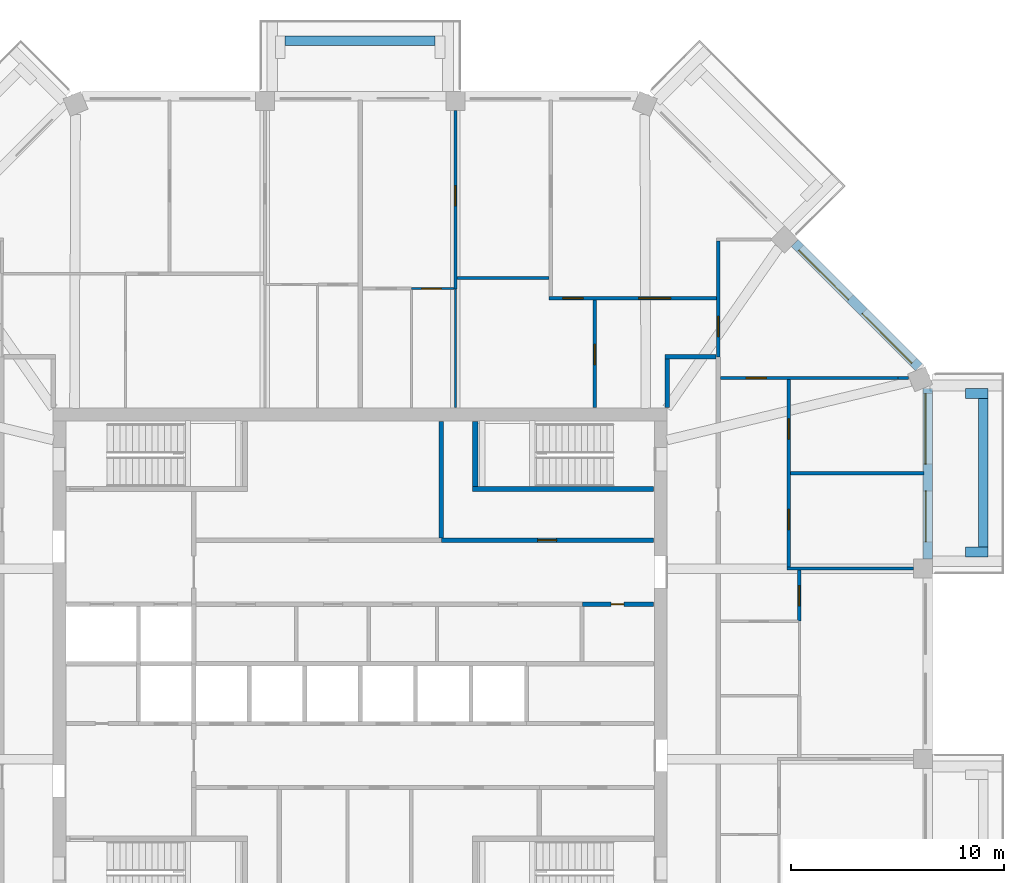
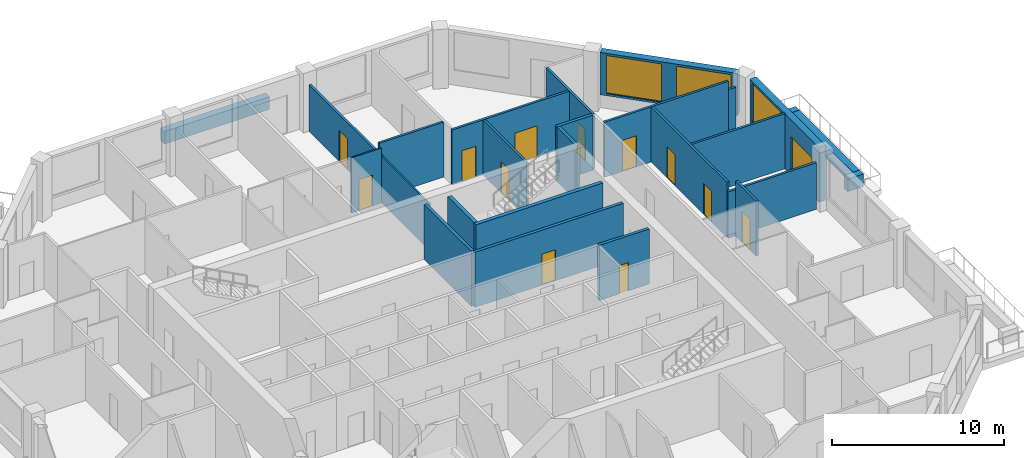
# One storey, part 9 of 12: 26 walls, 13 doors, 3 windows, 16 openings.
"""IFC4 building model written with IfcOpenShell, lengths in metres."""

from ifc_helpers import new_model, si_unit, direction, frame, frame_2d, origin, place, context, subcontext, project, spatial, rectangle, extrude, material, layer, layer_set, type_object, element, fill, save


model = new_model("IFC4")

# Units and contexts
model_context = context("Model", 3, precision=1e-05, world=origin(), true_north=direction((0.0, 1.0)))
body_context = subcontext(model_context, "Body", "Model", "MODEL_VIEW")
ifc_project = project(units=[si_unit("LENGTHUNIT", "METRE"), si_unit("AREAUNIT", "SQUARE_METRE"), si_unit("VOLUMEUNIT", "CUBIC_METRE"), si_unit("PLANEANGLEUNIT", "RADIAN"), si_unit("MASSUNIT", "GRAM", prefix="KILO")], contexts=[model_context])

# Site, building, storey
site_placement = place(None, origin())
site = spatial("IfcSite", under=ifc_project, at=site_placement, CompositionType="ELEMENT")
building_placement = place(site_placement, origin())
building = spatial("IfcBuilding", under=site, at=building_placement, Name="Msitu Wima Residences", CompositionType="ELEMENT")
storey_placement = place(building_placement, frame((0.0, 0.0, 306.300048828125)))
storey = spatial("IfcBuildingStorey", under=building, at=storey_placement, Name="L71", CompositionType="ELEMENT", Elevation=306.300048828125)

# Walls
ifc_material_1 = material(Name="Facing brick")
ifc_layer_1 = layer(ifc_material_1, 0.06494140625, Name="Facing brick")
ifc_material_2 = material(Name="Concrete C40/50", Category="concrete")
ifc_layer_2 = layer(ifc_material_2, 0.156005859375, Name="Concrete C40/50")
ifc_material_3 = material(Name="Waterproofing membrane")
ifc_layer_3 = layer(ifc_material_3, 0.00390625, Name="Waterproofing membrane")
ifc_material_4 = material(Name="Planting soil and planting")
ifc_layer_4 = layer(ifc_material_4, 0.22509765625, Name="Planting soil and planting")
ifc_layer_set_1 = layer_set([ifc_layer_1, ifc_layer_2, ifc_layer_3, ifc_layer_4], Name="Concrete C40/50")
wall_type_1 = type_object("IfcWallType", Name="Balcony planter PLANTER PL450", PredefinedType="USERDEFINED", material=ifc_layer_set_1)
wall_1_placement = place(storey_placement, frame((29.22509765625, 5.468505859375, 0.0), z_axis=(0.0, 0.0, 1.0), x_axis=(0.0, 1.0, 0.0)))
element("IfcWall", 1, at=wall_1_placement, inside=storey, type_object=wall_type_1, Name="Balcony planter E2 L71", ObjectType="PLANTER", PredefinedType="USERDEFINED", context=body_context, shape_type="SweptSolid", body=[
    extrude(rectangle(XDim=6.9873046875, YDim=0.449951171875, at=frame_2d((3.49365234375, 0.0))), origin(), (0.0, 0.0, 1.0), 0.89990234375),
])
for number, where, z_axis, x_axis, name in (
    (2, (28.39990234375, 5.24365234375, 0.0), (0.0, 0.0, 1.0), (1.0, 0.0, 0.0), "Balcony planter E2 L71"),
    (3, (28.39990234375, 12.680908203125, 0.0), (0.0, 0.0, 1.0), (1.0, 0.0, 0.0), "Balcony planter E2 L71"),
):
    element("IfcWall", number, at=place(storey_placement, frame(where, z_axis=z_axis, x_axis=x_axis)), inside=storey, type_object=wall_type_1, Name=name, ObjectType="PLANTER", PredefinedType="USERDEFINED", context=body_context, shape_type="SweptSolid", body=[
        extrude(rectangle(XDim=1.050048828125, YDim=0.449951171875, at=frame_2d((0.52490234375, 0.0))), origin(), (0.0, 0.0, 1.0), 0.89990234375),
    ])
wall_2_placement = place(storey_placement, frame((3.5185546875, 29.22509765625, 0.0), z_axis=(0.0, 0.0, 1.0), x_axis=(-1.0, 0.0, 0.0)))
element("IfcWall", 4, at=wall_2_placement, inside=storey, type_object=wall_type_1, Name="Balcony planter N1 L71", ObjectType="PLANTER", PredefinedType="USERDEFINED", context=body_context, shape_type="SweptSolid", body=[
    extrude(rectangle(XDim=7.037109375, YDim=0.449951171875, at=frame_2d((3.5185546875, 0.0))), origin(), (0.0, 0.0, 1.0), 0.89990234375),
])

# Wall, openings, door, window
ifc_material_5 = material(Name="Brick (red buff mix)", Category="masonry")
ifc_layer_5 = layer(ifc_material_5, 0.449951171875)
ifc_layer_set_2 = layer_set([ifc_layer_5], Name="Brick (red buff mix)")
wall_type_2 = type_object("IfcWallType", Name="Brick infill wall BW450", PredefinedType="SOLIDWALL", material=ifc_layer_set_2)
wall_3_placement = place(storey_placement, frame((26.625, 4.918701171875, 0.0), z_axis=(0.0, 0.0, 1.0), x_axis=(0.0, 1.0, 0.0)))
wall_3 = element("IfcWall", 5, at=wall_3_placement, inside=storey, type_object=wall_type_2, Name="Brick infill wall L71 E2", PredefinedType="SOLIDWALL", context=body_context, shape_type="SweptSolid", body=[
    extrude(rectangle(XDim=8.0, YDim=0.449951171875, at=frame_2d((4.0, 0.0))), origin(), (0.0, 0.0, 1.0), 3.89990234375),
])
opening_1_placement = place(wall_3_placement, frame((0.800048828125, 0.0, 0.0)))
opening_1 = element("IfcOpeningElement", 6, at=opening_1_placement, cuts=wall_3, Name="Opening D71.002", PredefinedType="OPENING", context=body_context, shape_type="SweptSolid", body=[
    extrude(rectangle(XDim=2.39990234375, YDim=2.699951171875, at=frame_2d((1.199951171875, 1.35009765625))), frame((0.0, 0.23486328125, 0.0), z_axis=(0.0, -1.0, 0.0), x_axis=(1.0, 0.0, 0.0)), (0.0, 0.0, 1.0), 0.469970703125),
])
opening_2_placement = place(wall_3_placement, frame((4.4501953125, 0.0, 1.050048828125)))
opening_2 = element("IfcOpeningElement", 7, at=opening_2_placement, cuts=wall_3, Name="Opening W71.004", PredefinedType="OPENING", context=body_context, shape_type="SweptSolid", body=[
    extrude(rectangle(XDim=3.300048828125, YDim=2.699951171875, at=frame_2d((1.64990234375, 1.35009765625))), frame((0.0, 0.23486328125, 0.0), z_axis=(0.0, -1.0, 0.0), x_axis=(1.0, 0.0, 0.0)), (0.0, 0.0, 1.0), 0.469970703125),
])
ifc_material_6 = material(Name="Anodised aluminium, bronze finish, clear low-emissivity double glazing", Category="aluminium")
door_type_1 = type_object("IfcDoorType", Name="Balcony door D2400x2700", OperationType="SLIDING_TO_LEFT", PredefinedType="DOOR", material=ifc_material_6)
door_1_placement = place(opening_1_placement, origin())
door_1 = element("IfcDoor", 8, at=door_1_placement, inside=storey, type_object=door_type_1, Name="Balcony door L71 E2", OperationType="SINGLE_SWING_LEFT", OverallHeight=2.699951171875, OverallWidth=2.39990234375, PredefinedType="DOOR", context=body_context, shape_type="SweptSolid", body=[
    extrude(rectangle(XDim=2.39990234375, YDim=2.699951171875, at=frame_2d((1.199951171875, 1.35009765625))), frame((0.0, 0.1298828125, 0.0), z_axis=(0.0, -1.0, 0.0), x_axis=(1.0, 0.0, 0.0)), (0.0, 0.0, 1.0), 0.050048828125),
])
fill(opening_1, door_1)
window_type = type_object("IfcWindowType", Name="Window W3300x2700", PartitioningType="DOUBLE_PANEL_VERTICAL", PredefinedType="WINDOW", material=ifc_material_6)
window_1_placement = place(opening_2_placement, origin())
window_1 = element("IfcWindow", 9, at=window_1_placement, inside=storey, type_object=window_type, Name="Window L71 E2.2", OverallHeight=2.699951171875, OverallWidth=3.300048828125, PartitioningType="SINGLE_PANEL", PredefinedType="WINDOW", context=body_context, shape_type="SweptSolid", body=[
    extrude(rectangle(XDim=3.300048828125, YDim=2.699951171875, at=frame_2d((1.64990234375, 1.35009765625))), frame((0.0, 0.135009765625, 0.0), z_axis=(0.0, -1.0, 0.0), x_axis=(1.0, 0.0, 0.0)), (0.0, 0.0, 1.0), 0.06005859375),
])
fill(opening_2, window_1)

# Wall, openings, windows
wall_4_placement = place(storey_placement, frame((26.214599609375, 13.909423828125, 0.89990234375), z_axis=(0.0, 0.0, 1.0), x_axis=(-0.707106781187, 0.707106781187, 0.0)))
wall_4 = element("IfcWall", 10, at=wall_4_placement, inside=storey, type_object=wall_type_2, Name="Brick infill wall L71 NE0", PredefinedType="SOLIDWALL", context=body_context, shape_type="SweptSolid", body=[
    extrude(rectangle(XDim=8.251220703125, YDim=0.449951171875, at=frame_2d((4.12548828125, 0.0))), origin(), (0.0, 0.0, 1.0), 3.0),
])
opening_3_placement = place(wall_4_placement, frame((0.37548828125, 0.0, 0.14990234375)))
opening_3 = element("IfcOpeningElement", 11, at=opening_3_placement, cuts=wall_4, Name="Opening W71.010", PredefinedType="OPENING", context=body_context, shape_type="SweptSolid", body=[
    extrude(rectangle(XDim=3.300048828125, YDim=2.699951171875, at=frame_2d((1.64990234375, 1.35009765625))), frame((0.0, 0.23486328125, 0.0), z_axis=(0.0, -1.0, 0.0), x_axis=(1.0, 0.0, 0.0)), (0.0, 0.0, 1.0), 0.469970703125),
])
opening_4_placement = place(wall_4_placement, frame((4.57568359375, 0.0, 0.14990234375)))
opening_4 = element("IfcOpeningElement", 12, at=opening_4_placement, cuts=wall_4, Name="Opening W71.011", PredefinedType="OPENING", context=body_context, shape_type="SweptSolid", body=[
    extrude(rectangle(XDim=3.300048828125, YDim=2.699951171875, at=frame_2d((1.64990234375, 1.35009765625))), frame((0.0, 0.23486328125, 0.0), z_axis=(0.0, -1.0, 0.0), x_axis=(1.0, 0.0, 0.0)), (0.0, 0.0, 1.0), 0.469970703125),
])
window_2_placement = place(opening_3_placement, origin())
window_2 = element("IfcWindow", 13, at=window_2_placement, inside=storey, type_object=window_type, Name="Window L71 NE0.1", OverallHeight=2.699951171875, OverallWidth=3.300048828125, PartitioningType="SINGLE_PANEL", PredefinedType="WINDOW", context=body_context, shape_type="SweptSolid", body=[
    extrude(rectangle(XDim=3.300048828125, YDim=2.699951171875, at=frame_2d((1.64990234375, 1.35009765625))), frame((0.0, 0.135009765625, 0.0), z_axis=(0.0, -1.0, 0.0), x_axis=(1.0, 0.0, 0.0)), (0.0, 0.0, 1.0), 0.06005859375),
])
fill(opening_3, window_2)
window_3_placement = place(opening_4_placement, origin())
window_3 = element("IfcWindow", 14, at=window_3_placement, inside=storey, type_object=window_type, Name="Window L71 NE0.2", OverallHeight=2.699951171875, OverallWidth=3.300048828125, PartitioningType="SINGLE_PANEL", PredefinedType="WINDOW", context=body_context, shape_type="SweptSolid", body=[
    extrude(rectangle(XDim=3.300048828125, YDim=2.699951171875, at=frame_2d((1.64990234375, 1.35009765625))), frame((0.0, 0.135009765625, 0.0), z_axis=(0.0, -1.0, 0.0), x_axis=(1.0, 0.0, 0.0)), (0.0, 0.0, 1.0), 0.06005859375),
])
fill(opening_4, window_3)

# Walls
ifc_material_7 = material(Name="Plaster")
ifc_layer_6 = layer(ifc_material_7, 0.011962890625, Name="Plaster")
ifc_material_8 = material(Name="Concrete blockwork", Category="masonry")
ifc_layer_7 = layer(ifc_material_8, 0.176025390625, Name="Concrete blockwork")
ifc_layer_8 = layer(ifc_material_7, 0.011962890625, Name="Plaster")
ifc_layer_set_3 = layer_set([ifc_layer_6, ifc_layer_7, ifc_layer_8], Name="Concrete blockwork")
wall_type_3 = type_object("IfcWallType", Name="Corridor wall FW200", PredefinedType="PARTITIONING", material=ifc_layer_set_3)
wall_5_placement = place(storey_placement, frame((14.39990234375, 12.030029296875, 0.0), z_axis=(0.0, 0.0, 1.0), x_axis=(0.0, 1.0, 0.0)))
element("IfcWall", 15, at=wall_5_placement, inside=storey, type_object=wall_type_3, Name="Corridor wall", PredefinedType="PARTITIONING", context=body_context, shape_type="SweptSolid", body=[
    extrude(rectangle(XDim=2.27001953125, YDim=0.199951171875, at=frame_2d((1.135009765625, 0.0))), origin(), (0.0, 0.0, 1.0), 3.89990234375),
])
wall_6_placement = place(storey_placement, frame((14.300048828125, 14.39990234375, 0.0), z_axis=(0.0, 0.0, 1.0), x_axis=(1.0, 0.0, 0.0)))
element("IfcWall", 16, at=wall_6_placement, inside=storey, type_object=wall_type_3, Name="Corridor wall", PredefinedType="PARTITIONING", context=body_context, shape_type="SweptSolid", body=[
    extrude(rectangle(XDim=2.39990234375, YDim=0.199951171875, at=frame_2d((1.199951171875, 0.0))), origin(), (0.0, 0.0, 1.0), 3.89990234375),
])

# Wall, opening, door
ifc_layer_9 = layer(ifc_material_7, 0.011962890625, Name="Plaster")
ifc_layer_10 = layer(ifc_material_8, 0.1259765625, Name="Concrete blockwork")
ifc_layer_11 = layer(ifc_material_7, 0.011962890625, Name="Plaster")
ifc_layer_set_4 = layer_set([ifc_layer_9, ifc_layer_10, ifc_layer_11], Name="Concrete blockwork")
wall_type_4 = type_object("IfcWallType", Name="Partition PW150", PredefinedType="PARTITIONING", material=ifc_layer_set_4)
wall_7_placement = place(storey_placement, frame((4.46875, 17.580078125, 0.0), z_axis=(0.0, 0.0, 1.0), x_axis=(0.0, 1.0, 0.0)))
wall_7 = element("IfcWall", 17, at=wall_7_placement, inside=storey, type_object=wall_type_4, Name="Partition", PredefinedType="PARTITIONING", context=body_context, shape_type="SweptSolid", body=[
    extrude(rectangle(XDim=8.369873046875, YDim=0.14990234375, at=frame_2d((4.18505859375, 0.0))), origin(), (0.0, 0.0, 1.0), 3.300048828125),
])
opening_5_placement = place(wall_7_placement, frame((3.89990234375, 0.0, 0.0)))
opening_5 = element("IfcOpeningElement", 18, at=opening_5_placement, cuts=wall_7, Name="Opening D71.024", PredefinedType="OPENING", context=body_context, shape_type="SweptSolid", body=[
    extrude(rectangle(XDim=0.949951171875, YDim=2.199951171875, at=frame_2d((0.47509765625, 1.10009765625))), frame((0.0, 0.0849609375, 0.0), z_axis=(0.0, -1.0, 0.0), x_axis=(1.0, 0.0, 0.0)), (0.0, 0.0, 1.0), 0.169921875),
])
ifc_material_9 = material(Name="Timber flush door", Category="wood")
door_type_2 = type_object("IfcDoorType", Name="Room door D12 950x2200", OperationType="SINGLE_SWING_LEFT", PredefinedType="DOOR", material=ifc_material_9)
door_2_placement = place(opening_5_placement, origin())
door_2 = element("IfcDoor", 19, at=door_2_placement, inside=storey, type_object=door_type_2, Name="Room door", OperationType="SINGLE_SWING_RIGHT", OverallHeight=2.199951171875, OverallWidth=0.949951171875, PredefinedType="DOOR", context=body_context, shape_type="SweptSolid", body=[
    extrude(rectangle(XDim=0.949951171875, YDim=2.199951171875, at=frame_2d((0.47509765625, 1.10009765625))), frame((0.0, 0.02490234375, 0.0), z_axis=(0.0, -1.0, 0.0), x_axis=(1.0, 0.0, 0.0)), (0.0, 0.0, 1.0), 0.050048828125),
])
fill(opening_5, door_2)

# Wall
wall_8_placement = place(storey_placement, frame((4.543701171875, 18.10009765625, 0.0), z_axis=(0.0, 0.0, 1.0), x_axis=(1.0, 0.0, 0.0)))
element("IfcWall", 20, at=wall_8_placement, inside=storey, type_object=wall_type_4, Name="Partition", PredefinedType="PARTITIONING", context=body_context, shape_type="SweptSolid", body=[
    extrude(rectangle(XDim=4.318603515625, YDim=0.14990234375, at=frame_2d((2.1591796875, 0.0))), origin(), (0.0, 0.0, 1.0), 3.89990234375),
])

# Wall, openings, doors
wall_9_placement = place(storey_placement, frame((8.8623046875, 17.14990234375, 0.0), z_axis=(0.0, 0.0, 1.0), x_axis=(1.0, 0.0, 0.0)))
wall_9 = element("IfcWall", 21, at=wall_9_placement, inside=storey, type_object=wall_type_4, Name="Partition", PredefinedType="PARTITIONING", context=body_context, shape_type="SweptSolid", body=[
    extrude(rectangle(XDim=7.86279296875, YDim=0.14990234375, at=frame_2d((3.931396484375, 0.0))), origin(), (0.0, 0.0, 1.0), 3.89990234375),
])
opening_6_placement = place(wall_9_placement, frame((4.199951171875, 0.0, 0.0)))
opening_6 = element("IfcOpeningElement", 22, at=opening_6_placement, cuts=wall_9, Name="Opening D71.014", PredefinedType="OPENING", context=body_context, shape_type="SweptSolid", body=[
    extrude(rectangle(XDim=1.5, YDim=2.199951171875, at=frame_2d((0.75, 1.10009765625))), frame((0.0, 0.0849609375, 0.0), z_axis=(0.0, -1.0, 0.0), x_axis=(1.0, 0.0, 0.0)), (0.0, 0.0, 1.0), 0.169921875),
])
opening_7_placement = place(wall_9_placement, frame((0.64990234375, 0.0, 0.0)))
opening_7 = element("IfcOpeningElement", 23, at=opening_7_placement, cuts=wall_9, Name="Opening D71.029", PredefinedType="OPENING", context=body_context, shape_type="SweptSolid", body=[
    extrude(rectangle(XDim=0.949951171875, YDim=2.199951171875, at=frame_2d((0.47509765625, 1.10009765625))), frame((0.0, 0.0849609375, 0.0), z_axis=(0.0, -1.0, 0.0), x_axis=(1.0, 0.0, 0.0)), (0.0, 0.0, 1.0), 0.169921875),
])
ifc_material_10 = material(Name="Timber double door", Category="wood")
door_type_3 = type_object("IfcDoorType", Name="Double door D04 1500x2200", OperationType="DOUBLE_DOOR_SINGLE_SWING", PredefinedType="DOOR", material=ifc_material_10)
door_3_placement = place(opening_6_placement, origin())
door_3 = element("IfcDoor", 24, at=door_3_placement, inside=storey, type_object=door_type_3, Name="Double door", OperationType="DOUBLE_DOOR_SINGLE_SWING", OverallHeight=2.199951171875, OverallWidth=1.5, PredefinedType="DOOR", context=body_context, shape_type="SweptSolid", body=[
    extrude(rectangle(XDim=1.5, YDim=2.199951171875, at=frame_2d((0.75, 1.10009765625))), frame((0.0, 0.02490234375, 0.0), z_axis=(0.0, -1.0, 0.0), x_axis=(1.0, 0.0, 0.0)), (0.0, 0.0, 1.0), 0.050048828125),
])
fill(opening_6, door_3)
door_4_placement = place(opening_7_placement, origin())
door_4 = element("IfcDoor", 25, at=door_4_placement, inside=storey, type_object=door_type_2, Name="Room door", OperationType="SINGLE_SWING_LEFT", OverallHeight=2.199951171875, OverallWidth=0.949951171875, PredefinedType="DOOR", context=body_context, shape_type="SweptSolid", body=[
    extrude(rectangle(XDim=0.949951171875, YDim=2.199951171875, at=frame_2d((0.47509765625, 1.10009765625))), frame((0.0, 0.02490234375, 0.0), z_axis=(0.0, -1.0, 0.0), x_axis=(1.0, 0.0, 0.0)), (0.0, 0.0, 1.0), 0.050048828125),
])
fill(opening_7, door_4)

# Wall, opening, door
wall_10_placement = place(storey_placement, frame((11.0, 12.030029296875, 0.0), z_axis=(0.0, 0.0, 1.0), x_axis=(0.0, 1.0, 0.0)))
wall_10 = element("IfcWall", 26, at=wall_10_placement, inside=storey, type_object=wall_type_4, Name="Partition", PredefinedType="PARTITIONING", context=body_context, shape_type="SweptSolid", body=[
    extrude(rectangle(XDim=5.044921875, YDim=0.14990234375, at=frame_2d((2.5224609375, 0.0))), origin(), (0.0, 0.0, 1.0), 3.89990234375),
])
opening_8_placement = place(wall_10_placement, frame((2.0, 0.0, 0.0)))
opening_8 = element("IfcOpeningElement", 27, at=opening_8_placement, cuts=wall_10, Name="Opening D71.020", PredefinedType="OPENING", context=body_context, shape_type="SweptSolid", body=[
    extrude(rectangle(XDim=0.949951171875, YDim=2.199951171875, at=frame_2d((0.47509765625, 1.10009765625))), frame((0.0, 0.0849609375, 0.0), z_axis=(0.0, -1.0, 0.0), x_axis=(1.0, 0.0, 0.0)), (0.0, 0.0, 1.0), 0.169921875),
])
door_5_placement = place(opening_8_placement, origin())
door_5 = element("IfcDoor", 28, at=door_5_placement, inside=storey, type_object=door_type_2, Name="Room door", OperationType="SINGLE_SWING_LEFT", OverallHeight=2.199951171875, OverallWidth=0.949951171875, PredefinedType="DOOR", context=body_context, shape_type="SweptSolid", body=[
    extrude(rectangle(XDim=0.949951171875, YDim=2.199951171875, at=frame_2d((0.47509765625, 1.10009765625))), frame((0.0, 0.02490234375, 0.0), z_axis=(0.0, -1.0, 0.0), x_axis=(1.0, 0.0, 0.0)), (0.0, 0.0, 1.0), 0.050048828125),
])
fill(opening_8, door_5)

wall_11_placement = place(storey_placement, frame((16.89990234375, 13.406005859375, 0.0), z_axis=(0.0, 0.0, 1.0), x_axis=(1.0, 0.0, 0.0)))
wall_11 = element("IfcWall", 29, at=wall_11_placement, inside=storey, type_object=wall_type_4, Name="Partition", PredefinedType="PARTITIONING", context=body_context, shape_type="SweptSolid", body=[
    extrude(rectangle(XDim=8.32421875, YDim=0.14990234375, at=frame_2d((4.162109375, 0.0))), origin(), (0.0, 0.0, 1.0), 3.89990234375),
])
opening_9_placement = place(wall_11_placement, frame((1.199951171875, 0.0, 0.0)))
opening_9 = element("IfcOpeningElement", 30, at=opening_9_placement, cuts=wall_11, Name="Opening D71.012", PredefinedType="OPENING", context=body_context, shape_type="SweptSolid", body=[
    extrude(rectangle(XDim=0.949951171875, YDim=2.199951171875, at=frame_2d((0.47509765625, 1.10009765625))), frame((0.0, 0.0849609375, 0.0), z_axis=(0.0, -1.0, 0.0), x_axis=(1.0, 0.0, 0.0)), (0.0, 0.0, 1.0), 0.169921875),
])
door_6_placement = place(opening_9_placement, origin())
door_6 = element("IfcDoor", 31, at=door_6_placement, inside=storey, type_object=door_type_2, Name="Room door", OperationType="SINGLE_SWING_LEFT", OverallHeight=2.199951171875, OverallWidth=0.949951171875, PredefinedType="DOOR", context=body_context, shape_type="SweptSolid", body=[
    extrude(rectangle(XDim=0.949951171875, YDim=2.199951171875, at=frame_2d((0.47509765625, 1.10009765625))), frame((0.0, 0.02490234375, 0.0), z_axis=(0.0, -1.0, 0.0), x_axis=(1.0, 0.0, 0.0)), (0.0, 0.0, 1.0), 0.050048828125),
])
fill(opening_9, door_6)

# Wall
wall_12_placement = place(storey_placement, frame((25.22412109375, 13.406005859375, 0.0), z_axis=(0.0, 0.0, 1.0), x_axis=(1.0, 0.0, 0.0)))
element("IfcWall", 32, at=wall_12_placement, inside=storey, type_object=wall_type_4, Name="Partition", PredefinedType="PARTITIONING", context=body_context, shape_type="SweptSolid", body=[
    extrude(rectangle(XDim=0.507080078125, YDim=0.14990234375, at=frame_2d((0.25341796875, 0.0))), origin(), (0.0, 0.0, 1.0), 3.300048828125),
])

# Wall, opening, door
wall_13_placement = place(storey_placement, frame((16.800048828125, 14.39990234375, 0.0), z_axis=(0.0, 0.0, 1.0), x_axis=(0.0, 1.0, 0.0)))
wall_13 = element("IfcWall", 33, at=wall_13_placement, inside=storey, type_object=wall_type_4, Name="Partition", PredefinedType="PARTITIONING", context=body_context, shape_type="SweptSolid", body=[
    extrude(rectangle(XDim=5.427978515625, YDim=0.14990234375, at=frame_2d((2.7138671875, 0.0))), origin(), (0.0, 0.0, 1.0), 3.89990234375),
])
opening_10_placement = place(wall_13_placement, frame((0.949951171875, 0.0, 0.0)))
opening_10 = element("IfcOpeningElement", 34, at=opening_10_placement, cuts=wall_13, Name="Opening D71.013", PredefinedType="OPENING", context=body_context, shape_type="SweptSolid", body=[
    extrude(rectangle(XDim=0.949951171875, YDim=2.199951171875, at=frame_2d((0.47509765625, 1.10009765625))), frame((0.0, 0.0849609375, 0.0), z_axis=(0.0, -1.0, 0.0), x_axis=(1.0, 0.0, 0.0)), (0.0, 0.0, 1.0), 0.169921875),
])
door_7_placement = place(opening_10_placement, origin())
door_7 = element("IfcDoor", 35, at=door_7_placement, inside=storey, type_object=door_type_2, Name="Room door", OperationType="SINGLE_SWING_RIGHT", OverallHeight=2.199951171875, OverallWidth=0.949951171875, PredefinedType="DOOR", context=body_context, shape_type="SweptSolid", body=[
    extrude(rectangle(XDim=0.949951171875, YDim=2.199951171875, at=frame_2d((0.47509765625, 1.10009765625))), frame((0.0, 0.02490234375, 0.0), z_axis=(0.0, -1.0, 0.0), x_axis=(1.0, 0.0, 0.0)), (0.0, 0.0, 1.0), 0.050048828125),
])
fill(opening_10, door_7)

# Wall, openings, doors
wall_14_placement = place(storey_placement, frame((20.10009765625, 4.543701171875, 0.0), z_axis=(0.0, 0.0, 1.0), x_axis=(0.0, 1.0, 0.0)))
wall_14 = element("IfcWall", 36, at=wall_14_placement, inside=storey, type_object=wall_type_4, Name="Partition", PredefinedType="PARTITIONING", context=body_context, shape_type="SweptSolid", body=[
    extrude(rectangle(XDim=8.787109375, YDim=0.14990234375, at=frame_2d((4.3935546875, 0.0))), origin(), (0.0, 0.0, 1.0), 3.89990234375),
])
opening_11_placement = place(wall_14_placement, frame((6.0, 0.0, 0.0)))
opening_11 = element("IfcOpeningElement", 37, at=opening_11_placement, cuts=wall_14, Name="Opening D71.030", PredefinedType="OPENING", context=body_context, shape_type="SweptSolid", body=[
    extrude(rectangle(XDim=0.949951171875, YDim=2.199951171875, at=frame_2d((0.47509765625, 1.10009765625))), frame((0.0, 0.0849609375, 0.0), z_axis=(0.0, -1.0, 0.0), x_axis=(1.0, 0.0, 0.0)), (0.0, 0.0, 1.0), 0.169921875),
])
opening_12_placement = place(wall_14_placement, frame((1.75, 0.0, 0.0)))
opening_12 = element("IfcOpeningElement", 38, at=opening_12_placement, cuts=wall_14, Name="Opening D71.031", PredefinedType="OPENING", context=body_context, shape_type="SweptSolid", body=[
    extrude(rectangle(XDim=0.949951171875, YDim=2.199951171875, at=frame_2d((0.47509765625, 1.10009765625))), frame((0.0, 0.0849609375, 0.0), z_axis=(0.0, -1.0, 0.0), x_axis=(1.0, 0.0, 0.0)), (0.0, 0.0, 1.0), 0.169921875),
])
door_8_placement = place(opening_11_placement, origin())
door_8 = element("IfcDoor", 39, at=door_8_placement, inside=storey, type_object=door_type_2, Name="Room door", OperationType="SINGLE_SWING_RIGHT", OverallHeight=2.199951171875, OverallWidth=0.949951171875, PredefinedType="DOOR", context=body_context, shape_type="SweptSolid", body=[
    extrude(rectangle(XDim=0.949951171875, YDim=2.199951171875, at=frame_2d((0.47509765625, 1.10009765625))), frame((0.0, 0.02490234375, 0.0), z_axis=(0.0, -1.0, 0.0), x_axis=(1.0, 0.0, 0.0)), (0.0, 0.0, 1.0), 0.050048828125),
])
fill(opening_11, door_8)
door_9_placement = place(opening_12_placement, origin())
door_9 = element("IfcDoor", 40, at=door_9_placement, inside=storey, type_object=door_type_2, Name="Room door", OperationType="SINGLE_SWING_LEFT", OverallHeight=2.199951171875, OverallWidth=0.949951171875, PredefinedType="DOOR", context=body_context, shape_type="SweptSolid", body=[
    extrude(rectangle(XDim=0.949951171875, YDim=2.199951171875, at=frame_2d((0.47509765625, 1.10009765625))), frame((0.0, 0.02490234375, 0.0), z_axis=(0.0, -1.0, 0.0), x_axis=(1.0, 0.0, 0.0)), (0.0, 0.0, 1.0), 0.050048828125),
])
fill(opening_12, door_9)

# Walls
wall_15_placement = place(storey_placement, frame((20.02490234375, 4.46875, 0.0), z_axis=(0.0, 0.0, 1.0), x_axis=(1.0, 0.0, 0.0)))
element("IfcWall", 41, at=wall_15_placement, inside=storey, type_object=wall_type_4, Name="Partition", PredefinedType="PARTITIONING", context=body_context, shape_type="SweptSolid", body=[
    extrude(rectangle(XDim=5.925048828125, YDim=0.14990234375, at=frame_2d((2.96240234375, 0.0))), origin(), (0.0, 0.0, 1.0), 3.300048828125),
])
wall_16_placement = place(storey_placement, frame((20.175048828125, 8.937255859375, 0.0), z_axis=(0.0, 0.0, 1.0), x_axis=(1.0, 0.0, 0.0)))
element("IfcWall", 42, at=wall_16_placement, inside=storey, type_object=wall_type_4, Name="Partition", PredefinedType="PARTITIONING", context=body_context, shape_type="SweptSolid", body=[
    extrude(rectangle(XDim=6.280029296875, YDim=0.14990234375, at=frame_2d((3.14013671875, 0.0))), origin(), (0.0, 0.0, 1.0), 3.89990234375),
])

# Wall, opening, door
wall_17_placement = place(storey_placement, frame((20.60009765625, 2.02001953125, 0.0), z_axis=(0.0, 0.0, 1.0), x_axis=(0.0, 1.0, 0.0)))
wall_17 = element("IfcWall", 43, at=wall_17_placement, inside=storey, type_object=wall_type_4, Name="Partition", PredefinedType="PARTITIONING", context=body_context, shape_type="SweptSolid", body=[
    extrude(rectangle(XDim=2.37353515625, YDim=0.14990234375, at=frame_2d((1.186767578125, 0.0))), origin(), (0.0, 0.0, 1.0), 3.89990234375),
])
opening_13_placement = place(wall_17_placement, frame((0.699951171875, 0.0, 0.0)))
opening_13 = element("IfcOpeningElement", 44, at=opening_13_placement, cuts=wall_17, Name="Opening D71.032", PredefinedType="OPENING", context=body_context, shape_type="SweptSolid", body=[
    extrude(rectangle(XDim=0.949951171875, YDim=2.199951171875, at=frame_2d((0.47509765625, 1.10009765625))), frame((0.0, 0.0849609375, 0.0), z_axis=(0.0, -1.0, 0.0), x_axis=(1.0, 0.0, 0.0)), (0.0, 0.0, 1.0), 0.169921875),
])
door_10_placement = place(opening_13_placement, origin())
door_10 = element("IfcDoor", 45, at=door_10_placement, inside=storey, type_object=door_type_2, Name="Room door", OperationType="SINGLE_SWING_LEFT", OverallHeight=2.199951171875, OverallWidth=0.949951171875, PredefinedType="DOOR", context=body_context, shape_type="SweptSolid", body=[
    extrude(rectangle(XDim=0.949951171875, YDim=2.199951171875, at=frame_2d((0.47509765625, 1.10009765625))), frame((0.0, 0.02490234375, 0.0), z_axis=(0.0, -1.0, 0.0), x_axis=(1.0, 0.0, 0.0)), (0.0, 0.0, 1.0), 0.050048828125),
])
fill(opening_13, door_10)

ifc_layer_12 = layer(ifc_material_7, 0.011962890625, Name="Plaster")
ifc_material_11 = material(Name="Reinforced concrete blockwork", Category="masonry")
ifc_layer_13 = layer(ifc_material_11, 0.176025390625, Name="Reinforced concrete blockwork")
ifc_layer_14 = layer(ifc_material_7, 0.011962890625, Name="Plaster")
ifc_layer_set_5 = layer_set([ifc_layer_12, ifc_layer_13, ifc_layer_14], Name="Reinforced concrete blockwork")
wall_type_5 = type_object("IfcWallType", Name="Plant and riser wall PL200", PredefinedType="PARTITIONING", material=ifc_layer_set_5)
wall_18_placement = place(storey_placement, frame((3.820068359375, 5.800048828125, 0.0), z_axis=(0.0, 0.0, 1.0), x_axis=(1.0, 0.0, 0.0)))
wall_18 = element("IfcWall", 46, at=wall_18_placement, inside=storey, type_object=wall_type_5, Name="Plant and riser wall", PredefinedType="PARTITIONING", context=body_context, shape_type="SweptSolid", body=[
    extrude(rectangle(XDim=9.949951171875, YDim=0.199951171875, at=frame_2d((4.97509765625, 0.0))), origin(), (0.0, 0.0, 1.0), 3.89990234375),
])
opening_14_placement = place(wall_18_placement, frame((4.5, 0.0, 0.0)))
opening_14 = element("IfcOpeningElement", 47, at=opening_14_placement, cuts=wall_18, Name="Opening D71.070", PredefinedType="OPENING", context=body_context, shape_type="SweptSolid", body=[
    extrude(rectangle(XDim=0.89990234375, YDim=2.199951171875, at=frame_2d((0.449951171875, 1.10009765625))), frame((0.0, 0.10986328125, 0.0), z_axis=(0.0, -1.0, 0.0), x_axis=(1.0, 0.0, 0.0)), (0.0, 0.0, 1.0), 0.219970703125),
])
door_type_4 = type_object("IfcDoorType", Name="Service door D05 900x2200", OperationType="SINGLE_SWING_LEFT", PredefinedType="DOOR", material=ifc_material_9)
door_11_placement = place(opening_14_placement, origin())
door_11 = element("IfcDoor", 48, at=door_11_placement, inside=storey, type_object=door_type_4, Name="Service door", OperationType="SINGLE_SWING_LEFT", OverallHeight=2.199951171875, OverallWidth=0.89990234375, PredefinedType="DOOR", context=body_context, shape_type="SweptSolid", body=[
    extrude(rectangle(XDim=0.89990234375, YDim=2.199951171875, at=frame_2d((0.449951171875, 1.10009765625))), frame((0.0, 0.02490234375, 0.0), z_axis=(0.0, -1.0, 0.0), x_axis=(1.0, 0.0, 0.0)), (0.0, 0.0, 1.0), 0.050048828125),
])
fill(opening_14, door_11)

# Wall
wall_19_placement = place(storey_placement, frame((3.800048828125, 5.89990234375, 0.0), z_axis=(0.0, 0.0, 1.0), x_axis=(0.0, 1.0, 0.0)))
element("IfcWall", 49, at=wall_19_placement, inside=storey, type_object=wall_type_5, Name="Plant and riser wall", PredefinedType="PARTITIONING", context=body_context, shape_type="SweptSolid", body=[
    extrude(rectangle(XDim=5.47021484375, YDim=0.199951171875, at=frame_2d((2.735107421875, 0.0))), origin(), (0.0, 0.0, 1.0), 3.89990234375),
])

# Wall, opening, door
wall_20_placement = place(storey_placement, frame((10.419921875, 2.800048828125, 0.0), z_axis=(0.0, 0.0, 1.0), x_axis=(1.0, 0.0, 0.0)))
wall_20 = element("IfcWall", 50, at=wall_20_placement, inside=storey, type_object=wall_type_5, Name="Plant and riser wall", PredefinedType="PARTITIONING", context=body_context, shape_type="SweptSolid", body=[
    extrude(rectangle(XDim=3.35009765625, YDim=0.199951171875, at=frame_2d((1.675048828125, 0.0))), origin(), (0.0, 0.0, 1.0), 3.89990234375),
])
opening_15_placement = place(wall_20_placement, frame((1.35009765625, 0.0, 0.0)))
opening_15 = element("IfcOpeningElement", 51, at=opening_15_placement, cuts=wall_20, Name="Opening D71.082", PredefinedType="OPENING", context=body_context, shape_type="SweptSolid", body=[
    extrude(rectangle(XDim=0.60009765625, YDim=2.0, at=frame_2d((0.300048828125, 1.0))), frame((0.0, 0.10986328125, 0.0), z_axis=(0.0, -1.0, 0.0), x_axis=(1.0, 0.0, 0.0)), (0.0, 0.0, 1.0), 0.219970703125),
])
ifc_material_12 = material(Name="Steel access door, fire resisting", Category="steel")
door_type_5 = type_object("IfcDoorType", Name="Riser access door D08 600x2000", OperationType="SINGLE_SWING_LEFT", PredefinedType="DOOR", material=ifc_material_12)
door_12_placement = place(opening_15_placement, origin())
door_12 = element("IfcDoor", 52, at=door_12_placement, inside=storey, type_object=door_type_5, Name="Riser access door", OperationType="SINGLE_SWING_RIGHT", OverallHeight=2.0, OverallWidth=0.60009765625, PredefinedType="DOOR", context=body_context, shape_type="SweptSolid", body=[
    extrude(rectangle(XDim=0.60009765625, YDim=2.0, at=frame_2d((0.300048828125, 1.0))), frame((0.0, 0.02490234375, 0.0), z_axis=(0.0, -1.0, 0.0), x_axis=(1.0, 0.0, 0.0)), (0.0, 0.0, 1.0), 0.050048828125),
])
fill(opening_15, door_12)

# Walls
ifc_material_13 = material(Name="Concrete C50/60", Category="concrete")
ifc_layer_15 = layer(ifc_material_13, 0.25)
ifc_layer_set_6 = layer_set([ifc_layer_15], Name="Concrete C50/60")
wall_type_6 = type_object("IfcWallType", Name="Stair enclosure wall SW250", PredefinedType="SHEAR", material=ifc_layer_set_6)
wall_21_placement = place(storey_placement, frame((5.39990234375, 8.324951171875, 0.0), z_axis=(0.0, 0.0, 1.0), x_axis=(0.0, 1.0, 0.0)))
element("IfcWall", 53, at=wall_21_placement, inside=storey, type_object=wall_type_6, Name="Stair enclosure wall", PredefinedType="SHEAR", context=body_context, shape_type="SweptSolid", body=[
    extrude(rectangle(XDim=3.045166015625, YDim=0.25, at=frame_2d((1.5224609375, 0.0))), origin(), (0.0, 0.0, 1.0), 3.89990234375),
])
wall_22_placement = place(storey_placement, frame((5.27490234375, 8.199951171875, 0.0), z_axis=(0.0, 0.0, 1.0), x_axis=(1.0, 0.0, 0.0)))
element("IfcWall", 54, at=wall_22_placement, inside=storey, type_object=wall_type_6, Name="Stair enclosure wall", PredefinedType="SHEAR", context=body_context, shape_type="SweptSolid", body=[
    extrude(rectangle(XDim=8.4951171875, YDim=0.25, at=frame_2d((4.24755859375, 0.0))), origin(), (0.0, 0.0, 1.0), 3.89990234375),
])

# Wall, opening, door
ifc_material_14 = material(Name="Ceramic tiles")
ifc_layer_16 = layer(ifc_material_14, 0.008056640625, Name="Ceramic tiles")
ifc_material_15 = material(Name="Moisture-resistant board")
ifc_layer_17 = layer(ifc_material_15, 0.012451171875, Name="Moisture-resistant board")
ifc_material_16 = material(Name="Light-gauge stud framing with mineral wool")
ifc_layer_18 = layer(ifc_material_16, 0.06689453125, Name="Light-gauge stud framing with mineral wool")
ifc_layer_19 = layer(ifc_material_15, 0.012451171875, Name="Moisture-resistant board")
ifc_layer_set_7 = layer_set([ifc_layer_16, ifc_layer_17, ifc_layer_18, ifc_layer_19], Name="Light-gauge stud framing with mineral wool")
wall_type_7 = type_object("IfcWallType", Name="Wet wall PW100", PredefinedType="PARTITIONING", material=ifc_layer_set_7)
wall_23_placement = place(storey_placement, frame((2.39990234375, 17.60009765625, 0.0), z_axis=(0.0, 0.0, 1.0), x_axis=(1.0, 0.0, 0.0)))
wall_23 = element("IfcWall", 55, at=wall_23_placement, inside=storey, type_object=wall_type_7, Name="Wet wall", PredefinedType="PARTITIONING", context=body_context, shape_type="SweptSolid", body=[
    extrude(rectangle(XDim=1.99365234375, YDim=0.10009765625, at=frame_2d((0.996826171875, 0.0))), origin(), (0.0, 0.0, 1.0), 3.89990234375),
])
opening_16_placement = place(wall_23_placement, frame((0.5, 0.0, 0.0)))
opening_16 = element("IfcOpeningElement", 56, at=opening_16_placement, cuts=wall_23, Name="Opening D71.028", PredefinedType="OPENING", context=body_context, shape_type="SweptSolid", body=[
    extrude(rectangle(XDim=0.89990234375, YDim=2.199951171875, at=frame_2d((0.449951171875, 1.10009765625))), frame((0.0, 0.06005859375, 0.0), z_axis=(0.0, -1.0, 0.0), x_axis=(1.0, 0.0, 0.0)), (0.0, 0.0, 1.0), 0.1201171875),
])
ifc_material_17 = material(Name="Timber flush door, moisture resistant", Category="wood")
door_type_6 = type_object("IfcDoorType", Name="Bathroom door D03 900x2200", OperationType="SINGLE_SWING_LEFT", PredefinedType="DOOR", material=ifc_material_17)
door_13_placement = place(opening_16_placement, origin())
door_13 = element("IfcDoor", 57, at=door_13_placement, inside=storey, type_object=door_type_6, Name="Bathroom door", OperationType="SINGLE_SWING_RIGHT", OverallHeight=2.199951171875, OverallWidth=0.89990234375, PredefinedType="DOOR", context=body_context, shape_type="SweptSolid", body=[
    extrude(rectangle(XDim=0.89990234375, YDim=2.199951171875, at=frame_2d((0.449951171875, 1.10009765625))), frame((0.0, 0.02490234375, 0.0), z_axis=(0.0, -1.0, 0.0), x_axis=(1.0, 0.0, 0.0)), (0.0, 0.0, 1.0), 0.050048828125),
])
fill(opening_16, door_13)

# Wall
wall_24_placement = place(storey_placement, frame((4.46875, 12.030029296875, 0.0), z_axis=(0.0, 0.0, 1.0), x_axis=(0.0, 1.0, 0.0)))
element("IfcWall", 58, at=wall_24_placement, inside=storey, type_object=wall_type_7, Name="Wet wall", PredefinedType="PARTITIONING", context=body_context, shape_type="SweptSolid", body=[
    extrude(rectangle(XDim=5.550048828125, YDim=0.10009765625, at=frame_2d((2.77490234375, 0.0))), origin(), (0.0, 0.0, 1.0), 3.300048828125),
])

save(model, "model.ifc")
